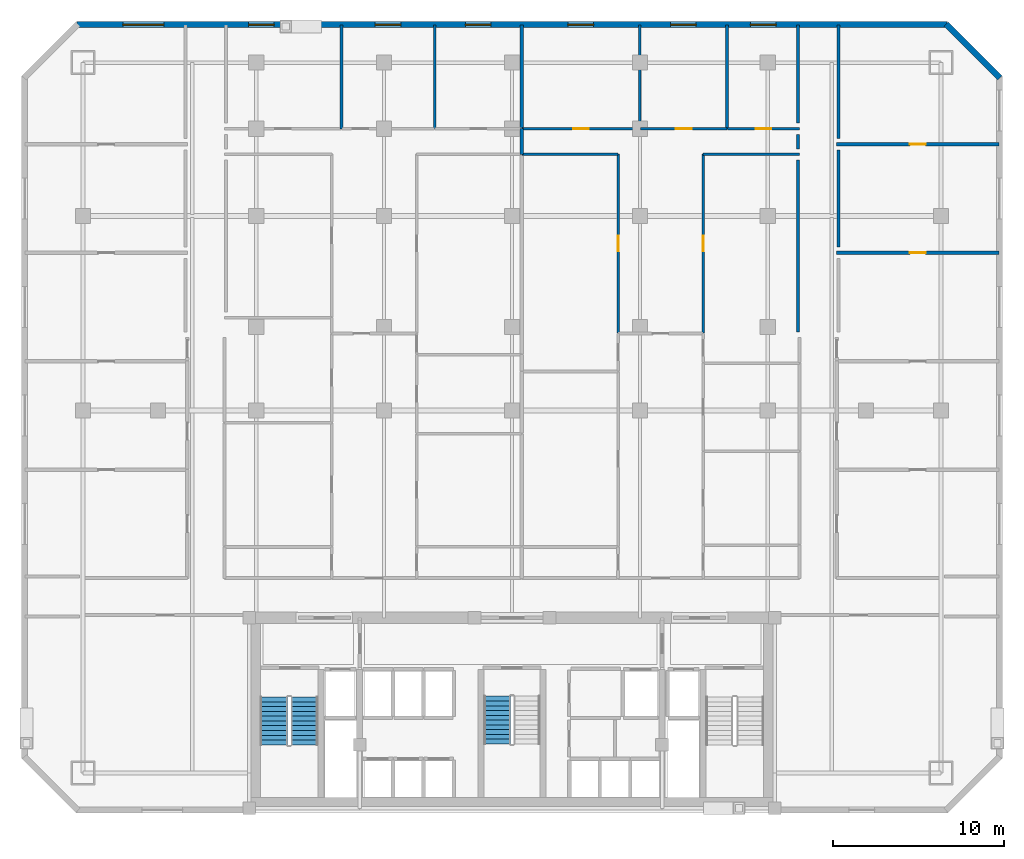
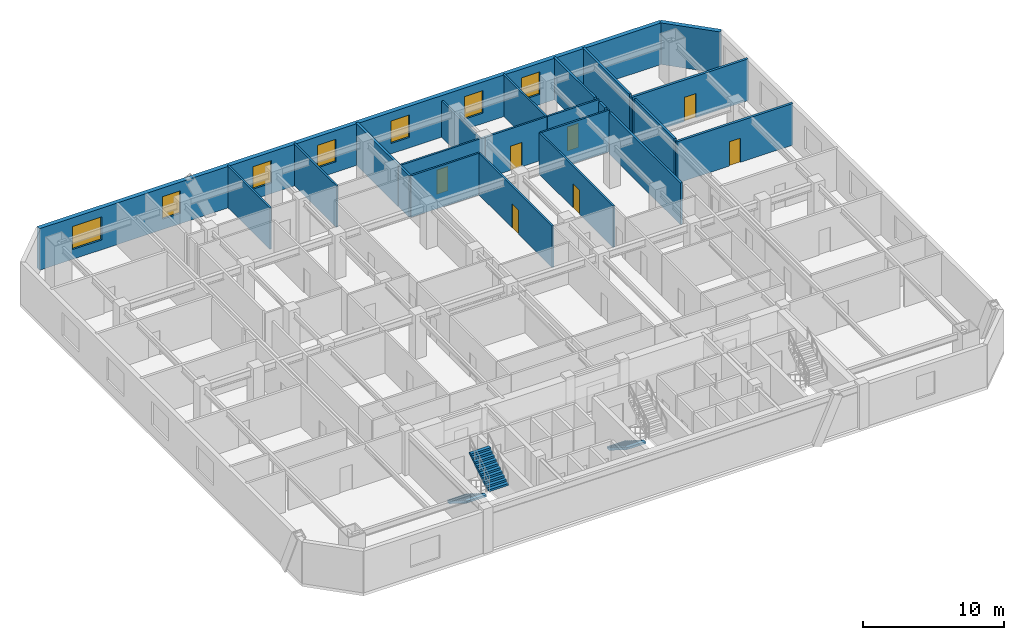
# One storey, part 7 of 9: 22 walls, 7 doors, 7 windows, 3 stair flights, 14 openings, 2 elements without a shape of their own.
"""IFC4 building model written with IfcOpenShell, lengths in metres."""

from ifc_helpers import new_model, si_unit, direction, frame, frame_2d, origin, place, context, subcontext, project, spatial, polyline, rectangle, outline, extrude, material, layer, layer_set, type_object, element, fill, aggregate, save


model = new_model("IFC4")

# Units and contexts
model_context = context("Model", 3, precision=1e-05, world=origin(), true_north=direction((0.0, 1.0)))
body_context = subcontext(model_context, "Body", "Model", "MODEL_VIEW")
ifc_project = project(units=[si_unit("LENGTHUNIT", "METRE"), si_unit("AREAUNIT", "SQUARE_METRE"), si_unit("VOLUMEUNIT", "CUBIC_METRE"), si_unit("PLANEANGLEUNIT", "RADIAN"), si_unit("MASSUNIT", "GRAM", prefix="KILO")], contexts=[model_context])

# Site, building, storey
site_placement = place(None, origin())
site = spatial("IfcSite", under=ifc_project, at=site_placement, CompositionType="ELEMENT")
building_placement = place(site_placement, origin())
building = spatial("IfcBuilding", under=site, at=building_placement, Name="Ventersveld Concourse Tower", CompositionType="ELEMENT")
storey_placement = place(building_placement, frame((0.0, 0.0, 84.89990234375)))
storey = spatial("IfcBuildingStorey", under=building, at=storey_placement, Name="L20", CompositionType="ELEMENT", Elevation=84.89990234375)

# Walls
ifc_material_1 = material(Name="Fire-rated autoclaved aerated masonry blockwork", Category="masonry")
ifc_layer_1 = layer(ifc_material_1, 0.179931640625)
ifc_layer_set_1 = layer_set([ifc_layer_1], Name="Fire-rated autoclaved aerated masonry blockwork")
wall_type_1 = type_object("IfcWallType", Name="WL-CORR-180", PredefinedType="PARTITIONING", material=ifc_layer_set_1)
wall_1_placement = place(storey_placement, frame((47.8798828125, 33.175048828125, 0.0), z_axis=(0.0, 0.0, 1.0), x_axis=(0.0, 1.0, 0.0)))
element("IfcWall", 1, at=wall_1_placement, inside=storey, type_object=wall_type_1, Name="L20 Room Enclosure Wall SP-L20-NELNG4", PredefinedType="PARTITIONING", context=body_context, shape_type="SweptSolid", body=[
    extrude(rectangle(XDim=5.7099609375, YDim=0.179931640625, at=frame_2d((2.85498046875, 0.0))), origin(), (0.0, 0.0, 1.0), 3.60009765625),
])
wall_2_placement = place(storey_placement, frame((47.8798828125, 39.534912109375, 0.0), z_axis=(0.0, 0.0, 1.0), x_axis=(0.0, 1.0, 0.0)))
element("IfcWall", 2, at=wall_2_placement, inside=storey, type_object=wall_type_1, Name="L20 Room Enclosure Wall SP-L20-NELNG5", PredefinedType="PARTITIONING", context=body_context, shape_type="SweptSolid", body=[
    extrude(rectangle(XDim=6.655029296875, YDim=0.179931640625, at=frame_2d((3.32763671875, 0.0))), origin(), (0.0, 0.0, 1.0), 3.60009765625),
])
wall_3_placement = place(storey_placement, frame((45.52001953125, 39.794921875, 0.0), z_axis=(0.0, 0.0, 1.0), x_axis=(0.0, -1.0, 0.0)))
element("IfcWall", 3, at=wall_3_placement, inside=storey, type_object=wall_type_1, Name="L20 Room Enclosure Wall SP-L20-20N2-LIV", PredefinedType="PARTITIONING", context=body_context, shape_type="SweptSolid", body=[
    extrude(rectangle(XDim=0.849853515625, YDim=0.179931640625, at=frame_2d((0.4248046875, 0.0))), origin(), (0.0, 0.0, 1.0), 3.60009765625),
])
wall_4_placement = place(storey_placement, frame((45.52001953125, 38.294921875, 0.0), z_axis=(0.0, 0.0, 1.0), x_axis=(0.0, -1.0, 0.0)))
element("IfcWall", 4, at=wall_4_placement, inside=storey, type_object=wall_type_1, Name="L20 Room Enclosure Wall SP-L20-20N2-DENS2", PredefinedType="PARTITIONING", context=body_context, shape_type="SweptSolid", body=[
    extrude(rectangle(XDim=10.0849609375, YDim=0.179931640625, at=frame_2d((5.04248046875, 0.0))), origin(), (0.0, 0.0, 1.0), 3.60009765625),
])
wall_5_placement = place(storey_placement, frame((45.52001953125, 46.18994140625, 0.0), z_axis=(0.0, 0.0, 1.0), x_axis=(0.0, -1.0, 0.0)))
element("IfcWall", 5, at=wall_5_placement, inside=storey, type_object=wall_type_1, Name="L20 Room Enclosure Wall SP-L20-20N2-BR3", PredefinedType="PARTITIONING", context=body_context, shape_type="SweptSolid", body=[
    extrude(rectangle(XDim=5.744873046875, YDim=0.179931640625, at=frame_2d((2.87255859375, 0.0))), origin(), (0.0, 0.0, 1.0), 3.60009765625),
])

# Wall, opening, door
ifc_layer_2 = layer(ifc_material_1, 0.199951171875)
ifc_layer_set_2 = layer_set([ifc_layer_2], Name="Fire-rated autoclaved aerated masonry blockwork")
wall_type_2 = type_object("IfcWallType", Name="WL-DEMISE-200", PredefinedType="PARTITIONING", material=ifc_layer_set_2)
wall_6_placement = place(storey_placement, frame((47.784912109375, 32.85009765625, 0.0), z_axis=(0.0, 0.0, 1.0), x_axis=(1.0, 0.0, 0.0)))
wall_6 = element("IfcWall", 6, at=wall_6_placement, inside=storey, type_object=wall_type_2, Name="L20 Interior Partition SP-L20-NELNG3-SP-L20-NELNG4", PredefinedType="PARTITIONING", context=body_context, shape_type="SweptSolid", body=[
    extrude(rectangle(XDim=9.505126953125, YDim=0.199951171875, at=frame_2d((4.75244140625, 0.0))), origin(), (0.0, 0.0, 1.0), 3.60009765625),
])
opening_1_placement = place(wall_6_placement, frame((4.29248046875, 0.0, 0.0)))
opening_1 = element("IfcOpeningElement", 7, at=opening_1_placement, cuts=wall_6, Name="Opening ID1", PredefinedType="OPENING", context=body_context, shape_type="SweptSolid", body=[
    extrude(rectangle(XDim=0.919921875, YDim=2.10009765625, at=frame_2d((0.4599609375, 1.050048828125))), frame((0.0, 0.10986328125, 0.0), z_axis=(0.0, -1.0, 0.0), x_axis=(1.0, 0.0, 0.0)), (0.0, 0.0, 1.0), 0.219970703125),
])
ifc_material_2 = material(Name="Solid-core hardwood veneer timber", Category="wood")
door_type = type_object("IfcDoorType", Name="DR-ROOM-092", OperationType="NOTDEFINED", PredefinedType="DOOR", material=ifc_material_2)
door_1_placement = place(opening_1_placement, origin())
door_1 = element("IfcDoor", 8, at=door_1_placement, inside=storey, type_object=door_type, Name="L20 Interior Door SP-L20-NELNG3 to SP-L20-NELNG4 (D-L20-0969)", OperationType="SINGLE_SWING_LEFT", OverallHeight=2.10009765625, OverallWidth=0.919921875, PredefinedType="DOOR", context=body_context, shape_type="SweptSolid", body=[
    extrude(rectangle(XDim=0.919921875, YDim=2.10009765625, at=frame_2d((0.4599609375, 1.050048828125))), frame((0.0, 0.02490234375, 0.0), z_axis=(0.0, -1.0, 0.0), x_axis=(1.0, 0.0, 0.0)), (0.0, 0.0, 1.0), 0.050048828125),
])
fill(opening_1, door_1)

wall_7_placement = place(storey_placement, frame((47.784912109375, 39.2099609375, 0.0), z_axis=(0.0, 0.0, 1.0), x_axis=(1.0, 0.0, 0.0)))
wall_7 = element("IfcWall", 9, at=wall_7_placement, inside=storey, type_object=wall_type_2, Name="L20 Interior Partition SP-L20-NELNG4-SP-L20-NELNG5", PredefinedType="PARTITIONING", context=body_context, shape_type="SweptSolid", body=[
    extrude(rectangle(XDim=9.505126953125, YDim=0.199951171875, at=frame_2d((4.75244140625, 0.0))), origin(), (0.0, 0.0, 1.0), 3.60009765625),
])
opening_2_placement = place(wall_7_placement, frame((4.29248046875, 0.0, 0.0)))
opening_2 = element("IfcOpeningElement", 10, at=opening_2_placement, cuts=wall_7, Name="Opening ID1", PredefinedType="OPENING", context=body_context, shape_type="SweptSolid", body=[
    extrude(rectangle(XDim=0.919921875, YDim=2.10009765625, at=frame_2d((0.4599609375, 1.050048828125))), frame((0.0, 0.10986328125, 0.0), z_axis=(0.0, -1.0, 0.0), x_axis=(1.0, 0.0, 0.0)), (0.0, 0.0, 1.0), 0.219970703125),
])
door_2_placement = place(opening_2_placement, origin())
door_2 = element("IfcDoor", 11, at=door_2_placement, inside=storey, type_object=door_type, Name="L20 Interior Door SP-L20-NELNG4 to SP-L20-NELNG5 (D-L20-0970)", OperationType="SINGLE_SWING_RIGHT", OverallHeight=2.10009765625, OverallWidth=0.919921875, PredefinedType="DOOR", context=body_context, shape_type="SweptSolid", body=[
    extrude(rectangle(XDim=0.919921875, YDim=2.10009765625, at=frame_2d((0.4599609375, 1.050048828125))), frame((0.0, 0.02490234375, 0.0), z_axis=(0.0, -1.0, 0.0), x_axis=(1.0, 0.0, 0.0)), (0.0, 0.0, 1.0), 0.050048828125),
])
fill(opening_2, door_2)

# Walls
wall_8_placement = place(storey_placement, frame((29.314208984375, 38.614990234375, 0.0), z_axis=(0.0, 0.0, 1.0), x_axis=(0.0, 1.0, 0.0)))
element("IfcWall", 12, at=wall_8_placement, inside=storey, type_object=wall_type_2, Name="L20 Interior Partition SP-L20-20N1-LIV-SP-L20-20N2-LIV", PredefinedType="PARTITIONING", context=body_context, shape_type="SweptSolid", body=[
    extrude(rectangle(XDim=1.510009765625, YDim=0.199951171875, at=frame_2d((0.7548828125, 0.0))), origin(), (0.0, 0.0, 1.0), 3.60009765625),
])
wall_9_placement = place(storey_placement, frame((29.314208984375, 40.155029296875, 0.0), z_axis=(0.0, 0.0, 1.0), x_axis=(0.0, 1.0, 0.0)))
element("IfcWall", 13, at=wall_9_placement, inside=storey, type_object=wall_type_2, Name="L20 Interior Partition SP-L20-20N1-BR3-SP-L20-20N2-BR1", PredefinedType="PARTITIONING", context=body_context, shape_type="SweptSolid", body=[
    extrude(rectangle(XDim=6.034912109375, YDim=0.199951171875, at=frame_2d((3.017578125, 0.0))), origin(), (0.0, 0.0, 1.0), 3.60009765625),
])
ifc_material_3 = material(Name="Autoclaved aerated masonry blockwork", Category="masonry")
ifc_layer_3 = layer(ifc_material_3, 0.14990234375)
ifc_layer_set_3 = layer_set([ifc_layer_3], Name="Autoclaved aerated masonry blockwork")
wall_type_3 = type_object("IfcWallType", Name="WL-INT-150", PredefinedType="PARTITIONING", material=ifc_layer_set_3)
for number, where, z_axis, x_axis, name in (
    (14, (18.75341796875, 40.114990234375, 0.0), (0.0, 0.0, 1.0), (0.0, 1.0, 0.0), "L20 Interior Partition SP-L20-20N1-BR1-SP-L20-20N1-BR2"),
    (15, (24.209716796875, 40.114990234375, 0.0), (0.0, 0.0, 1.0), (0.0, 1.0, 0.0), "L20 Interior Partition SP-L20-20N1-BR2-SP-L20-20N1-BR3"),
):
    element("IfcWall", number, at=place(storey_placement, frame(where, z_axis=z_axis, x_axis=x_axis)), inside=storey, type_object=wall_type_3, Name=name, PredefinedType="PARTITIONING", context=body_context, shape_type="SweptSolid", body=[
        extrude(rectangle(XDim=6.074951171875, YDim=0.14990234375, at=frame_2d((3.03759765625, 0.0))), origin(), (0.0, 0.0, 1.0), 3.60009765625),
    ])

# Wall, opening, door
wall_10_placement = place(storey_placement, frame((34.97216796875, 28.151611328125, 0.0), z_axis=(0.0, 0.0, 1.0), x_axis=(0.0, 1.0, 0.0)))
wall_10 = element("IfcWall", 16, at=wall_10_placement, inside=storey, type_object=wall_type_3, Name="L20 Interior Partition SP-L20-20N2-LIV-SP-L20-20N2-SEML2", PredefinedType="PARTITIONING", context=body_context, shape_type="SweptSolid", body=[
    extrude(rectangle(XDim=10.473388671875, YDim=0.14990234375, at=frame_2d((5.23681640625, 0.0))), origin(), (0.0, 0.0, 1.0), 3.60009765625),
])
opening_3_placement = place(wall_10_placement, frame((4.776611328125, 0.0, 0.0)))
opening_3 = element("IfcOpeningElement", 17, at=opening_3_placement, cuts=wall_10, Name="Opening ID1", PredefinedType="OPENING", context=body_context, shape_type="SweptSolid", body=[
    extrude(rectangle(XDim=0.919921875, YDim=2.10009765625, at=frame_2d((0.4599609375, 1.050048828125))), frame((0.0, 0.0849609375, 0.0), z_axis=(0.0, -1.0, 0.0), x_axis=(1.0, 0.0, 0.0)), (0.0, 0.0, 1.0), 0.169921875),
])
door_3_placement = place(opening_3_placement, origin())
door_3 = element("IfcDoor", 18, at=door_3_placement, inside=storey, type_object=door_type, Name="L20 Interior Door SP-L20-20N2-LIV to SP-L20-20N2-SEML2 (D-L20-0992)", OperationType="SINGLE_SWING_RIGHT", OverallHeight=2.10009765625, OverallWidth=0.919921875, PredefinedType="DOOR", context=body_context, shape_type="SweptSolid", body=[
    extrude(rectangle(XDim=0.919921875, YDim=2.10009765625, at=frame_2d((0.4599609375, 1.050048828125))), frame((0.0, 0.02490234375, 0.0), z_axis=(0.0, -1.0, 0.0), x_axis=(1.0, 0.0, 0.0)), (0.0, 0.0, 1.0), 0.050048828125),
])
fill(opening_3, door_3)

# Wall
wall_11_placement = place(storey_placement, frame((29.34912109375, 38.6201171875, 0.0), z_axis=(0.0, 0.0, 1.0), x_axis=(1.0, 0.0, 0.0)))
element("IfcWall", 19, at=wall_11_placement, inside=storey, type_object=wall_type_3, Name="L20 Interior Partition SP-L20-20N2-LIV-SP-L20-20N2-SEML2", PredefinedType="PARTITIONING", context=body_context, shape_type="SweptSolid", body=[
    extrude(rectangle(XDim=5.6279296875, YDim=0.14990234375, at=frame_2d((2.81396484375, 0.0))), origin(), (0.0, 0.0, 1.0), 3.60009765625),
])

# Wall, opening, door
wall_12_placement = place(storey_placement, frame((39.9521484375, 28.151611328125, 0.0), z_axis=(0.0, 0.0, 1.0), x_axis=(0.0, 1.0, 0.0)))
wall_12 = element("IfcWall", 20, at=wall_12_placement, inside=storey, type_object=wall_type_3, Name="L20 Interior Partition SP-L20-20N2-LIV-SP-L20-20N2-DENS2", PredefinedType="PARTITIONING", context=body_context, shape_type="SweptSolid", body=[
    extrude(rectangle(XDim=10.473388671875, YDim=0.14990234375, at=frame_2d((5.23681640625, 0.0))), origin(), (0.0, 0.0, 1.0), 3.60009765625),
])
opening_4_placement = place(wall_12_placement, frame((4.776611328125, 0.0, 0.0)))
opening_4 = element("IfcOpeningElement", 21, at=opening_4_placement, cuts=wall_12, Name="Opening ID1", PredefinedType="OPENING", context=body_context, shape_type="SweptSolid", body=[
    extrude(rectangle(XDim=0.919921875, YDim=2.10009765625, at=frame_2d((0.4599609375, 1.050048828125))), frame((0.0, 0.0849609375, 0.0), z_axis=(0.0, -1.0, 0.0), x_axis=(1.0, 0.0, 0.0)), (0.0, 0.0, 1.0), 0.169921875),
])
door_4_placement = place(opening_4_placement, origin())
door_4 = element("IfcDoor", 22, at=door_4_placement, inside=storey, type_object=door_type, Name="L20 Interior Door SP-L20-20N2-LIV to SP-L20-20N2-DENS2 (D-L20-0993)", OperationType="SINGLE_SWING_LEFT", OverallHeight=2.10009765625, OverallWidth=0.919921875, PredefinedType="DOOR", context=body_context, shape_type="SweptSolid", body=[
    extrude(rectangle(XDim=0.919921875, YDim=2.10009765625, at=frame_2d((0.4599609375, 1.050048828125))), frame((0.0, 0.02490234375, 0.0), z_axis=(0.0, -1.0, 0.0), x_axis=(1.0, 0.0, 0.0)), (0.0, 0.0, 1.0), 0.050048828125),
])
fill(opening_4, door_4)

# Wall
wall_13_placement = place(storey_placement, frame((39.947021484375, 38.6201171875, 0.0), z_axis=(0.0, 0.0, 1.0), x_axis=(1.0, 0.0, 0.0)))
element("IfcWall", 23, at=wall_13_placement, inside=storey, type_object=wall_type_3, Name="L20 Interior Partition SP-L20-20N2-LIV-SP-L20-20N2-DENS2", PredefinedType="PARTITIONING", context=body_context, shape_type="SweptSolid", body=[
    extrude(rectangle(XDim=5.66796875, YDim=0.14990234375, at=frame_2d((2.833984375, 0.0))), origin(), (0.0, 0.0, 1.0), 3.60009765625),
])

# Wall, opening, door
wall_14_placement = place(storey_placement, frame((29.34912109375, 40.1201171875, 0.0), z_axis=(0.0, 0.0, 1.0), x_axis=(1.0, 0.0, 0.0)))
wall_14 = element("IfcWall", 24, at=wall_14_placement, inside=storey, type_object=wall_type_3, Name="L20 Interior Partition SP-L20-20N2-LIV-SP-L20-20N2-BR1", PredefinedType="PARTITIONING", context=body_context, shape_type="SweptSolid", body=[
    extrude(rectangle(XDim=6.90576171875, YDim=0.14990234375, at=frame_2d((3.452880859375, 0.0))), origin(), (0.0, 0.0, 1.0), 3.60009765625),
])
opening_5_placement = place(wall_14_placement, frame((2.992919921875, 0.0, 0.0)))
opening_5 = element("IfcOpeningElement", 25, at=opening_5_placement, cuts=wall_14, Name="Opening ID1", PredefinedType="OPENING", context=body_context, shape_type="SweptSolid", body=[
    extrude(rectangle(XDim=0.919921875, YDim=2.10009765625, at=frame_2d((0.4599609375, 1.050048828125))), frame((0.0, 0.0849609375, 0.0), z_axis=(0.0, -1.0, 0.0), x_axis=(1.0, 0.0, 0.0)), (0.0, 0.0, 1.0), 0.169921875),
])
door_5_placement = place(opening_5_placement, origin())
door_5 = element("IfcDoor", 26, at=door_5_placement, inside=storey, type_object=door_type, Name="L20 Interior Door SP-L20-20N2-LIV to SP-L20-20N2-BR1 (D-L20-0994)", OperationType="SINGLE_SWING_RIGHT", OverallHeight=2.10009765625, OverallWidth=0.919921875, PredefinedType="DOOR", context=body_context, shape_type="SweptSolid", body=[
    extrude(rectangle(XDim=0.919921875, YDim=2.10009765625, at=frame_2d((0.4599609375, 1.050048828125))), frame((0.0, 0.02490234375, 0.0), z_axis=(0.0, -1.0, 0.0), x_axis=(1.0, 0.0, 0.0)), (0.0, 0.0, 1.0), 0.050048828125),
])
fill(opening_5, door_5)

wall_15_placement = place(storey_placement, frame((36.284912109375, 40.1201171875, 0.0), z_axis=(0.0, 0.0, 1.0), x_axis=(1.0, 0.0, 0.0)))
wall_15 = element("IfcWall", 27, at=wall_15_placement, inside=storey, type_object=wall_type_3, Name="L20 Interior Partition SP-L20-20N2-LIV-SP-L20-20N2-BR2", PredefinedType="PARTITIONING", context=body_context, shape_type="SweptSolid", body=[
    extrude(rectangle(XDim=5.07373046875, YDim=0.14990234375, at=frame_2d((2.536865234375, 0.0))), origin(), (0.0, 0.0, 1.0), 3.60009765625),
])
opening_6_placement = place(wall_15_placement, frame((2.076904296875, 0.0, 0.0)))
opening_6 = element("IfcOpeningElement", 28, at=opening_6_placement, cuts=wall_15, Name="Opening ID1", PredefinedType="OPENING", context=body_context, shape_type="SweptSolid", body=[
    extrude(rectangle(XDim=0.919921875, YDim=2.10009765625, at=frame_2d((0.4599609375, 1.050048828125))), frame((0.0, 0.0849609375, 0.0), z_axis=(0.0, -1.0, 0.0), x_axis=(1.0, 0.0, 0.0)), (0.0, 0.0, 1.0), 0.169921875),
])
door_6_placement = place(opening_6_placement, origin())
door_6 = element("IfcDoor", 29, at=door_6_placement, inside=storey, type_object=door_type, Name="L20 Interior Door SP-L20-20N2-LIV to SP-L20-20N2-BR2 (D-L20-0995)", OperationType="SINGLE_SWING_LEFT", OverallHeight=2.10009765625, OverallWidth=0.919921875, PredefinedType="DOOR", context=body_context, shape_type="SweptSolid", body=[
    extrude(rectangle(XDim=0.919921875, YDim=2.10009765625, at=frame_2d((0.4599609375, 1.050048828125))), frame((0.0, 0.02490234375, 0.0), z_axis=(0.0, -1.0, 0.0), x_axis=(1.0, 0.0, 0.0)), (0.0, 0.0, 1.0), 0.050048828125),
])
fill(opening_6, door_6)

wall_16_placement = place(storey_placement, frame((41.388671875, 40.1201171875, 0.0), z_axis=(0.0, 0.0, 1.0), x_axis=(1.0, 0.0, 0.0)))
wall_16 = element("IfcWall", 30, at=wall_16_placement, inside=storey, type_object=wall_type_3, Name="L20 Interior Partition SP-L20-20N2-LIV-SP-L20-20N2-BR3", PredefinedType="PARTITIONING", context=body_context, shape_type="SweptSolid", body=[
    extrude(rectangle(XDim=4.226318359375, YDim=0.14990234375, at=frame_2d((2.11328125, 0.0))), origin(), (0.0, 0.0, 1.0), 3.60009765625),
])
opening_7_placement = place(wall_16_placement, frame((1.6533203125, 0.0, 0.0)))
opening_7 = element("IfcOpeningElement", 31, at=opening_7_placement, cuts=wall_16, Name="Opening ID1", PredefinedType="OPENING", context=body_context, shape_type="SweptSolid", body=[
    extrude(rectangle(XDim=0.919921875, YDim=2.10009765625, at=frame_2d((0.4599609375, 1.050048828125))), frame((0.0, 0.0849609375, 0.0), z_axis=(0.0, -1.0, 0.0), x_axis=(1.0, 0.0, 0.0)), (0.0, 0.0, 1.0), 0.169921875),
])
door_7_placement = place(opening_7_placement, origin())
door_7 = element("IfcDoor", 32, at=door_7_placement, inside=storey, type_object=door_type, Name="L20 Interior Door SP-L20-20N2-LIV to SP-L20-20N2-BR3 (D-L20-0996)", OperationType="SINGLE_SWING_RIGHT", OverallHeight=2.10009765625, OverallWidth=0.919921875, PredefinedType="DOOR", context=body_context, shape_type="SweptSolid", body=[
    extrude(rectangle(XDim=0.919921875, YDim=2.10009765625, at=frame_2d((0.4599609375, 1.050048828125))), frame((0.0, 0.02490234375, 0.0), z_axis=(0.0, -1.0, 0.0), x_axis=(1.0, 0.0, 0.0)), (0.0, 0.0, 1.0), 0.050048828125),
])
fill(opening_7, door_7)

# Walls
wall_17_placement = place(storey_placement, frame((36.25, 40.114990234375, 0.0), z_axis=(0.0, 0.0, 1.0), x_axis=(0.0, 1.0, 0.0)))
element("IfcWall", 33, at=wall_17_placement, inside=storey, type_object=wall_type_3, Name="L20 Interior Partition SP-L20-20N2-BR1-SP-L20-20N2-BR2", PredefinedType="PARTITIONING", context=body_context, shape_type="SweptSolid", body=[
    extrude(rectangle(XDim=6.074951171875, YDim=0.14990234375, at=frame_2d((3.03759765625, 0.0))), origin(), (0.0, 0.0, 1.0), 3.14013671875),
])
wall_18_placement = place(storey_placement, frame((41.353759765625, 40.114990234375, 0.0), z_axis=(0.0, 0.0, 1.0), x_axis=(0.0, 1.0, 0.0)))
element("IfcWall", 34, at=wall_18_placement, inside=storey, type_object=wall_type_3, Name="L20 Interior Partition SP-L20-20N2-BR2-SP-L20-20N2-BR3", PredefinedType="PARTITIONING", context=body_context, shape_type="SweptSolid", body=[
    extrude(rectangle(XDim=6.074951171875, YDim=0.14990234375, at=frame_2d((3.03759765625, 0.0))), origin(), (0.0, 0.0, 1.0), 3.60009765625),
])
ifc_material_4 = material(Name="Precast concrete C45/55", Category="concrete")
ifc_layer_4 = layer(ifc_material_4, 0.35009765625)
ifc_layer_set_4 = layer_set([ifc_layer_4], Name="Precast concrete C45/55")
wall_type_4 = type_object("IfcWallType", Name="WL-PREC-350", PredefinedType="SOLIDWALL", material=ifc_layer_set_4)
wall_19_placement = place(storey_placement, frame((57.347900390625, 43.1044921875, 0.0), z_axis=(0.0, 0.0, 1.0), x_axis=(-0.707079321262, 0.707134240044, 0.0)))
element("IfcWall", 35, at=wall_19_placement, inside=storey, type_object=wall_type_4, Name="L20 Highveld Precast Facade Wall E04", PredefinedType="SOLIDWALL", context=body_context, shape_type="SweptSolid", body=[
    extrude(rectangle(XDim=4.445556640625, YDim=0.35009765625, at=frame_2d((2.22265625, 0.0))), origin(), (0.0, 0.0, 1.0), 3.60009765625),
])

# Wall, openings, windows
wall_20_placement = place(storey_placement, frame((54.260009765625, 46.22509765625, 0.0), z_axis=(0.0, 0.0, 1.0), x_axis=(-1.0, 0.0, 0.0)))
wall_20 = element("IfcWall", 36, at=wall_20_placement, inside=storey, type_object=wall_type_4, Name="L20 Highveld Precast Facade Wall E05", PredefinedType="SOLIDWALL", context=body_context, shape_type="SweptSolid", body=[
    extrude(rectangle(XDim=51.02001953125, YDim=0.35009765625, at=frame_2d((25.510009765625, 0.0))), origin(), (0.0, 0.0, 1.0), 3.60009765625),
])
opening_8_placement = place(wall_20_placement, frame((45.91748046875, 0.0, 0.85009765625)))
opening_8 = element("IfcOpeningElement", 37, at=opening_8_placement, cuts=wall_20, Name="Opening W5", PredefinedType="OPENING", context=body_context, shape_type="SweptSolid", body=[
    extrude(rectangle(XDim=2.39990234375, YDim=2.0, at=frame_2d((1.199951171875, 1.0))), frame((0.0, 0.18505859375, 0.0), z_axis=(0.0, -1.0, 0.0), x_axis=(1.0, 0.0, 0.0)), (0.0, 0.0, 1.0), 0.3701171875),
])
opening_9_placement = place(wall_20_placement, frame((39.453369140625, 0.0, 0.89990234375)))
opening_9 = element("IfcOpeningElement", 38, at=opening_9_placement, cuts=wall_20, Name="Opening W1", PredefinedType="OPENING", context=body_context, shape_type="SweptSolid", body=[
    extrude(rectangle(XDim=1.5, YDim=1.949951171875, at=frame_2d((0.75, 0.97509765625))), frame((0.0, 0.18505859375, 0.0), z_axis=(0.0, -1.0, 0.0), x_axis=(1.0, 0.0, 0.0)), (0.0, 0.0, 1.0), 0.3701171875),
])
opening_10_placement = place(wall_20_placement, frame((32.028564453125, 0.0, 0.89990234375)))
opening_10 = element("IfcOpeningElement", 39, at=opening_10_placement, cuts=wall_20, Name="Opening W1", PredefinedType="OPENING", context=body_context, shape_type="SweptSolid", body=[
    extrude(rectangle(XDim=1.5, YDim=1.949951171875, at=frame_2d((0.75, 0.97509765625))), frame((0.0, 0.18505859375, 0.0), z_axis=(0.0, -1.0, 0.0), x_axis=(1.0, 0.0, 0.0)), (0.0, 0.0, 1.0), 0.3701171875),
])
opening_11_placement = place(wall_20_placement, frame((26.748046875, 0.0, 0.89990234375)))
opening_11 = element("IfcOpeningElement", 40, at=opening_11_placement, cuts=wall_20, Name="Opening W1", PredefinedType="OPENING", context=body_context, shape_type="SweptSolid", body=[
    extrude(rectangle(XDim=1.5, YDim=1.949951171875, at=frame_2d((0.75, 0.97509765625))), frame((0.0, 0.18505859375, 0.0), z_axis=(0.0, -1.0, 0.0), x_axis=(1.0, 0.0, 0.0)), (0.0, 0.0, 1.0), 0.3701171875),
])
opening_12_placement = place(wall_20_placement, frame((20.72802734375, 0.0, 0.89990234375)))
opening_12 = element("IfcOpeningElement", 41, at=opening_12_placement, cuts=wall_20, Name="Opening W1", PredefinedType="OPENING", context=body_context, shape_type="SweptSolid", body=[
    extrude(rectangle(XDim=1.5, YDim=1.949951171875, at=frame_2d((0.75, 0.97509765625))), frame((0.0, 0.18505859375, 0.0), z_axis=(0.0, -1.0, 0.0), x_axis=(1.0, 0.0, 0.0)), (0.0, 0.0, 1.0), 0.3701171875),
])
opening_13_placement = place(wall_20_placement, frame((14.7080078125, 0.0, 0.89990234375)))
opening_13 = element("IfcOpeningElement", 42, at=opening_13_placement, cuts=wall_20, Name="Opening W1", PredefinedType="OPENING", context=body_context, shape_type="SweptSolid", body=[
    extrude(rectangle(XDim=1.5, YDim=1.949951171875, at=frame_2d((0.75, 0.97509765625))), frame((0.0, 0.18505859375, 0.0), z_axis=(0.0, -1.0, 0.0), x_axis=(1.0, 0.0, 0.0)), (0.0, 0.0, 1.0), 0.3701171875),
])
opening_14_placement = place(wall_20_placement, frame((10.028076171875, 0.0, 0.89990234375)))
opening_14 = element("IfcOpeningElement", 43, at=opening_14_placement, cuts=wall_20, Name="Opening W1", PredefinedType="OPENING", context=body_context, shape_type="SweptSolid", body=[
    extrude(rectangle(XDim=1.5, YDim=1.949951171875, at=frame_2d((0.75, 0.97509765625))), frame((0.0, 0.18505859375, 0.0), z_axis=(0.0, -1.0, 0.0), x_axis=(1.0, 0.0, 0.0)), (0.0, 0.0, 1.0), 0.3701171875),
])
ifc_material_5 = material(Name="Tempered acoustic Low-E IGU", Category="glass")
window_type_1 = type_object("IfcWindowType", Name="WIN-150x210", PartitioningType="SINGLE_PANEL", PredefinedType="WINDOW", material=ifc_material_5)
window_1_placement = place(opening_9_placement, origin())
window_1 = element("IfcWindow", 44, at=window_1_placement, inside=storey, type_object=window_type_1, Name="L20 Punched Low-E Window W-0218", OverallHeight=1.949951171875, OverallWidth=1.5, PartitioningType="SINGLE_PANEL", PredefinedType="WINDOW", context=body_context, shape_type="SweptSolid", body=[
    extrude(rectangle(XDim=1.5, YDim=1.949951171875, at=frame_2d((0.75, 0.97509765625))), frame((0.0, 0.030029296875, 0.0), z_axis=(0.0, -1.0, 0.0), x_axis=(1.0, 0.0, 0.0)), (0.0, 0.0, 1.0), 0.06005859375),
])
fill(opening_9, window_1)
window_2_placement = place(opening_10_placement, origin())
window_2 = element("IfcWindow", 45, at=window_2_placement, inside=storey, type_object=window_type_1, Name="L20 Punched Low-E Window W-0219", OverallHeight=1.949951171875, OverallWidth=1.5, PartitioningType="SINGLE_PANEL", PredefinedType="WINDOW", context=body_context, shape_type="SweptSolid", body=[
    extrude(rectangle(XDim=1.5, YDim=1.949951171875, at=frame_2d((0.75, 0.97509765625))), frame((0.0, 0.030029296875, 0.0), z_axis=(0.0, -1.0, 0.0), x_axis=(1.0, 0.0, 0.0)), (0.0, 0.0, 1.0), 0.06005859375),
])
fill(opening_10, window_2)
window_3_placement = place(opening_11_placement, origin())
window_3 = element("IfcWindow", 46, at=window_3_placement, inside=storey, type_object=window_type_1, Name="L20 Punched Low-E Window W-0220", OverallHeight=1.949951171875, OverallWidth=1.5, PartitioningType="SINGLE_PANEL", PredefinedType="WINDOW", context=body_context, shape_type="SweptSolid", body=[
    extrude(rectangle(XDim=1.5, YDim=1.949951171875, at=frame_2d((0.75, 0.97509765625))), frame((0.0, 0.030029296875, 0.0), z_axis=(0.0, -1.0, 0.0), x_axis=(1.0, 0.0, 0.0)), (0.0, 0.0, 1.0), 0.06005859375),
])
fill(opening_11, window_3)
window_4_placement = place(opening_12_placement, origin())
window_4 = element("IfcWindow", 47, at=window_4_placement, inside=storey, type_object=window_type_1, Name="L20 Punched Low-E Window W-0221", OverallHeight=1.949951171875, OverallWidth=1.5, PartitioningType="SINGLE_PANEL", PredefinedType="WINDOW", context=body_context, shape_type="SweptSolid", body=[
    extrude(rectangle(XDim=1.5, YDim=1.949951171875, at=frame_2d((0.75, 0.97509765625))), frame((0.0, 0.030029296875, 0.0), z_axis=(0.0, -1.0, 0.0), x_axis=(1.0, 0.0, 0.0)), (0.0, 0.0, 1.0), 0.06005859375),
])
fill(opening_12, window_4)
window_5_placement = place(opening_13_placement, origin())
window_5 = element("IfcWindow", 48, at=window_5_placement, inside=storey, type_object=window_type_1, Name="L20 Punched Low-E Window W-0222", OverallHeight=1.949951171875, OverallWidth=1.5, PartitioningType="SINGLE_PANEL", PredefinedType="WINDOW", context=body_context, shape_type="SweptSolid", body=[
    extrude(rectangle(XDim=1.5, YDim=1.949951171875, at=frame_2d((0.75, 0.97509765625))), frame((0.0, 0.030029296875, 0.0), z_axis=(0.0, -1.0, 0.0), x_axis=(1.0, 0.0, 0.0)), (0.0, 0.0, 1.0), 0.06005859375),
])
fill(opening_13, window_5)
window_6_placement = place(opening_14_placement, origin())
window_6 = element("IfcWindow", 49, at=window_6_placement, inside=storey, type_object=window_type_1, Name="L20 Punched Low-E Window W-0223", OverallHeight=1.949951171875, OverallWidth=1.5, PartitioningType="SINGLE_PANEL", PredefinedType="WINDOW", context=body_context, shape_type="SweptSolid", body=[
    extrude(rectangle(XDim=1.5, YDim=1.949951171875, at=frame_2d((0.75, 0.97509765625))), frame((0.0, 0.030029296875, 0.0), z_axis=(0.0, -1.0, 0.0), x_axis=(1.0, 0.0, 0.0)), (0.0, 0.0, 1.0), 0.06005859375),
])
fill(opening_14, window_6)
window_type_2 = type_object("IfcWindowType", Name="WIN-240x210", PartitioningType="SINGLE_PANEL", PredefinedType="WINDOW", material=ifc_material_5)
window_7_placement = place(opening_8_placement, origin())
window_7 = element("IfcWindow", 50, at=window_7_placement, inside=storey, type_object=window_type_2, Name="L20 Punched Low-E Window W-0212", OverallHeight=2.0, OverallWidth=2.39990234375, PartitioningType="SINGLE_PANEL", PredefinedType="WINDOW", context=body_context, shape_type="SweptSolid", body=[
    extrude(rectangle(XDim=2.39990234375, YDim=2.0, at=frame_2d((1.199951171875, 1.0))), frame((0.0, 0.030029296875, 0.0), z_axis=(0.0, -1.0, 0.0), x_axis=(1.0, 0.0, 0.0)), (0.0, 0.0, 1.0), 0.06005859375),
])
fill(opening_8, window_7)

# Stair, stair flight
ifc_material_6 = material(Name="Concrete C50/60", Category="concrete")
stair_type_1 = type_object("IfcStairType", Name="ST-DOG-155", PredefinedType="HALF_TURN_STAIR", material=ifc_material_6)
stair_1_placement = place(storey_placement, origin())
stair_1 = element("IfcStair", 51, at=stair_1_placement, inside=storey, type_object=stair_type_1, Name="L20 Protected Central Core Escape Stair ST-03", PredefinedType="HALF_TURN_STAIR")
stair_flight_type_1 = type_object("IfcStairFlightType", Name="STF-RC-155", PredefinedType="STRAIGHT", material=ifc_material_6)
stair_flight_1_placement = place(storey_placement, frame((27.875, 6.85009765625, 0.0), z_axis=(0.0, 0.0, 1.0), x_axis=(0.0, -1.0, 0.0)))
stair_flight_1 = element("IfcStairFlight", 52, at=stair_flight_1_placement, type_object=stair_flight_type_1, Name="ST-03 flight 1", NumberOfRisers=11, NumberOfTreads=10, PredefinedType="STRAIGHT", RiserHeight=0.175, TreadLength=0.28, context=body_context, shape_type="SweptSolid", body=[
    extrude(outline(polyline([(0.0, 0.0), (0.0, 0.175048828125), (0.280029296875, 0.175048828125), (0.280029296875, 0.35009765625), (0.56005859375, 0.35009765625), (0.56005859375, 0.52490234375), (0.840087890625, 0.52490234375), (0.840087890625, 0.699951171875), (1.1201171875, 0.699951171875), (1.1201171875, 0.875), (1.39990234375, 0.875), (1.39990234375, 1.050048828125), (1.679931640625, 1.050048828125), (1.679931640625, 1.22509765625), (1.9599609375, 1.22509765625), (1.9599609375, 1.39990234375), (2.239990234375, 1.39990234375), (2.239990234375, 1.574951171875), (2.52001953125, 1.574951171875), (2.52001953125, 1.75), (2.800048828125, 1.75), (2.800048828125, 1.925048828125), (2.800048828125, 1.5732421875), (0.28271484375, 0.0), (0.0, 0.0)])), frame((0.0, 0.77490234375, 0.0), z_axis=(0.0, -1.0, 0.0), x_axis=(1.0, 0.0, 0.0)), (0.0, 0.0, 1.0), 1.550048828125),
])
aggregate(stair_1, [stair_flight_1])

# Stair, stair flights
stair_type_2 = type_object("IfcStairType", Name="ST-DOG-160", PredefinedType="HALF_TURN_STAIR", material=ifc_material_6)
stair_2_placement = place(storey_placement, origin())
stair_2 = element("IfcStair", 53, at=stair_2_placement, inside=storey, type_object=stair_type_2, Name="L20 Protected Tower Escape Stair ST-01", PredefinedType="HALF_TURN_STAIR")
stair_flight_type_2 = type_object("IfcStairFlightType", Name="STF-RC-160", PredefinedType="STRAIGHT", material=ifc_material_6)
stair_flight_2_placement = place(storey_placement, frame((14.780029296875, 6.800048828125, 0.0), z_axis=(0.0, 0.0, 1.0), x_axis=(0.0, -1.0, 0.0)))
stair_flight_2 = element("IfcStairFlight", 54, at=stair_flight_2_placement, type_object=stair_flight_type_2, Name="ST-01 flight 1", NumberOfRisers=11, NumberOfTreads=10, PredefinedType="STRAIGHT", RiserHeight=0.175, TreadLength=0.28, context=body_context, shape_type="SweptSolid", body=[
    extrude(outline(polyline([(0.0, 0.0), (0.0, 0.175048828125), (0.280029296875, 0.175048828125), (0.280029296875, 0.35009765625), (0.56005859375, 0.35009765625), (0.56005859375, 0.52490234375), (0.840087890625, 0.52490234375), (0.840087890625, 0.699951171875), (1.1201171875, 0.699951171875), (1.1201171875, 0.875), (1.39990234375, 0.875), (1.39990234375, 1.050048828125), (1.679931640625, 1.050048828125), (1.679931640625, 1.22509765625), (1.9599609375, 1.22509765625), (1.9599609375, 1.39990234375), (2.239990234375, 1.39990234375), (2.239990234375, 1.574951171875), (2.52001953125, 1.574951171875), (2.52001953125, 1.75), (2.800048828125, 1.75), (2.800048828125, 1.925048828125), (2.800048828125, 1.5732421875), (0.28271484375, 0.0), (0.0, 0.0)])), frame((0.0, 0.800048828125, 0.0), z_axis=(0.0, -1.0, 0.0), x_axis=(1.0, 0.0, 0.0)), (0.0, 0.0, 1.0), 1.60009765625),
])
stair_flight_3_placement = place(storey_placement, frame((16.580078125, 4.0, 1.925048828125), z_axis=(0.0, 0.0, 1.0), x_axis=(0.0, 1.0, 0.0)))
stair_flight_3 = element("IfcStairFlight", 55, at=stair_flight_3_placement, type_object=stair_flight_type_2, Name="ST-01 flight 2", NumberOfRisers=11, NumberOfTreads=10, PredefinedType="STRAIGHT", RiserHeight=0.175, TreadLength=0.28, context=body_context, shape_type="SweptSolid", body=[
    extrude(outline(polyline([(0.0, 0.0), (0.0, 0.175048828125), (0.280029296875, 0.175048828125), (0.280029296875, 0.35009765625), (0.56005859375, 0.35009765625), (0.56005859375, 0.52490234375), (0.840087890625, 0.52490234375), (0.840087890625, 0.699951171875), (1.1201171875, 0.699951171875), (1.1201171875, 0.875), (1.39990234375, 0.875), (1.39990234375, 1.050048828125), (1.679931640625, 1.050048828125), (1.679931640625, 1.22509765625), (1.9599609375, 1.22509765625), (1.9599609375, 1.39990234375), (2.239990234375, 1.39990234375), (2.239990234375, 1.574951171875), (2.52001953125, 1.574951171875), (2.52001953125, 1.75), (2.800048828125, 1.75), (2.800048828125, 1.925048828125), (2.800048828125, 1.5732421875), (0.28271484375, 0.0), (0.0, 0.0)])), frame((0.0, 0.800048828125, 0.0), z_axis=(0.0, -1.0, 0.0), x_axis=(1.0, 0.0, 0.0)), (0.0, 0.0, 1.0), 1.60009765625),
])
aggregate(stair_2, [stair_flight_2, stair_flight_3])

save(model, "model.ifc")
